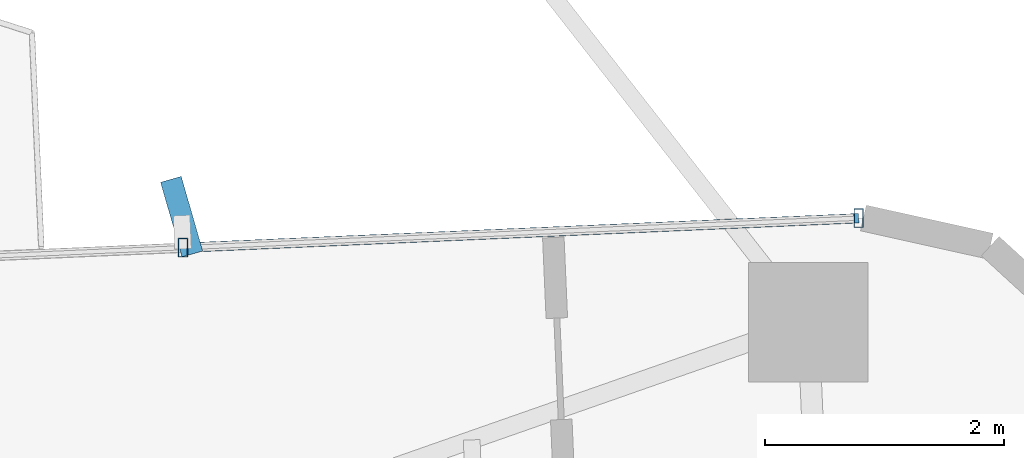
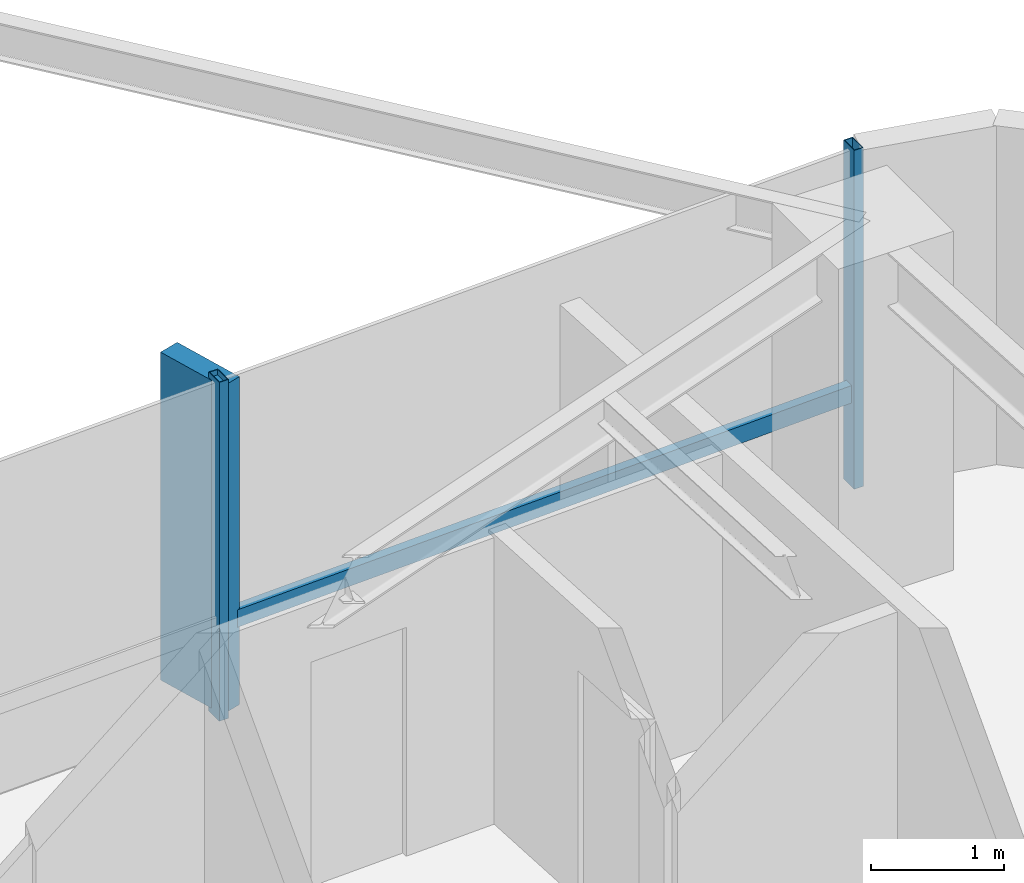
# One storey, part 20 of 26: 4 members, 1 element without a shape of its own.
"""IFC4 building model written with IfcOpenShell, lengths in metres."""

from ifc_helpers import new_model, si_unit, direction, frame, origin, origin_2d, place, context, subcontext, project, spatial, rectangle, hollow_rectangle, extrude, source, transform, mapped, material, material_profile, profile_set, type_object, element, aggregate, save


model = new_model("IFC4")

# Units and contexts
model_context = context("Model", 3, precision=1e-05, world=origin(), true_north=direction((0.0, 1.0)))
body_context = subcontext(model_context, "Body", "Model", "MODEL_VIEW")
ifc_project = project(units=[si_unit("LENGTHUNIT", "METRE"), si_unit("AREAUNIT", "SQUARE_METRE"), si_unit("VOLUMEUNIT", "CUBIC_METRE"), si_unit("PLANEANGLEUNIT", "RADIAN"), si_unit("MASSUNIT", "GRAM", prefix="KILO")], contexts=[model_context])

# Site, building, storey
site_placement = place(None, origin())
site = spatial("IfcSite", under=ifc_project, at=site_placement, CompositionType="ELEMENT")
building_placement = place(site_placement, origin())
building = spatial("IfcBuilding", under=site, at=building_placement, Name="Sahyath Konkavel Grand Hotel", CompositionType="ELEMENT")
storey_placement = place(building_placement, frame((0.0, 0.0, 93.550048828125)))
storey = spatial("IfcBuildingStorey", under=building, at=storey_placement, Name="L25", CompositionType="ELEMENT", Elevation=93.550048828125)

# Curtain wall, members
ifc_material_1 = material(Name="Anodised Bronze Aluminium & Low-E Glazing", Category="aluminium")
curtain_wall_type = type_object("IfcCurtainWallType", Name="CW-ZONE2", PredefinedType="NOTDEFINED", material=ifc_material_1)
curtain_wall_placement = place(storey_placement, origin())
curtain_wall = element("IfcCurtainWall", 1, at=curtain_wall_placement, inside=storey, type_object=curtain_wall_type, Name="L25 Unitised Curtain Wall F7", PredefinedType="NOTDEFINED")
ifc_material_2 = material(Name="Anodised Bronze Aluminium", Category="aluminium")
ifc_material_profile_1 = material_profile(ifc_material_2, hollow_rectangle(XDim=0.080078125, YDim=0.159912109375, WallThickness=0.006103515625, at=origin_2d()), Name="RHS 160x80x6")
ifc_profile_set_1 = profile_set([ifc_material_profile_1], Name="Anodised Bronze Aluminium")
member_type_1 = type_object("IfcMemberType", Name="CW-MUL-160", PredefinedType="MULLION", material=ifc_profile_set_1)
shared_shape_1 = source(origin(), body_context, "Body", "SweptSolid", [
    extrude(hollow_rectangle(XDim=0.080078125, YDim=0.159912109375, WallThickness=0.006103515625, at=origin_2d()), origin(), (0.0, 0.0, 1.0), 3.10986328125),
])
member_1_placement = place(storey_placement, frame((17.655029296875, 7.377197265625, 0.0), z_axis=(0.0, 0.0, 1.0), x_axis=(1.0, 0.0, 0.0)))
member_1 = element("IfcMember", 2, at=member_1_placement, type_object=member_type_1, Name="L25 Curtain Wall Mullion F7-0", PredefinedType="MULLION", context=body_context, shape_type="MappedRepresentation", body=[
    mapped(shared_shape_1, transform((0.0, 0.0, 0.0), scale=1.0)),
])
member_2_placement = place(storey_placement, frame((12.00048828125, 7.13037109375, 0.0), z_axis=(0.0, 0.0, 1.0), x_axis=(1.0, 0.0, 0.0)))
member_2 = element("IfcMember", 3, at=member_2_placement, type_object=member_type_1, Name="L25 Curtain Wall Mullion F7-1", PredefinedType="MULLION", context=body_context, shape_type="MappedRepresentation", body=[
    mapped(shared_shape_1, transform((0.0, 0.0, 0.0), scale=1.0)),
])
ifc_material_3 = material(Name="Warm Buff Sandstone Cladding on Concrete C50/60", Category="masonry")
ifc_material_profile_2 = material_profile(ifc_material_3, rectangle(XDim=0.179931640625, YDim=0.64990234375, at=origin_2d()), Name="FIN 180x650")
ifc_profile_set_2 = profile_set([ifc_material_profile_2], Name="Warm Buff Sandstone Cladding on Concrete C50/60")
member_type_2 = type_object("IfcMemberType", Name="FIN-SANDSTONE-650", PredefinedType="MULLION", material=ifc_profile_set_2)
shared_shape_2 = source(origin(), body_context, "Body", "SweptSolid", [
    extrude(rectangle(XDim=0.179931640625, YDim=0.64990234375, at=origin_2d()), origin(), (0.0, 0.0, 1.0), 3.010009765625),
])
member_3_placement = place(storey_placement, frame((11.989013671875, 7.39013671875, 0.050048828125), z_axis=(0.0, 0.0, 1.0), x_axis=(0.961069030524, 0.276308375854, 0.0)))
member_3 = element("IfcMember", 4, at=member_3_placement, type_object=member_type_2, Name="L25 Sandstone Vertical Solar Fin FIN F7-1", PredefinedType="MULLION", context=body_context, shape_type="MappedRepresentation", body=[
    mapped(shared_shape_2, transform((0.0, 0.0, 0.0), scale=1.0)),
])
ifc_material_profile_3 = material_profile(ifc_material_2, hollow_rectangle(XDim=0.080078125, YDim=0.159912109375, WallThickness=0.006103515625, at=origin_2d()), Name="RHS 160x80x6")
ifc_profile_set_3 = profile_set([ifc_material_profile_3], Name="Anodised Bronze Aluminium")
member_type_3 = type_object("IfcMemberType", Name="CW-TRN-160", PredefinedType="USERDEFINED", material=ifc_profile_set_3)
shared_shape_3 = source(origin(), body_context, "Body", "SweptSolid", [
    extrude(hollow_rectangle(XDim=0.080078125, YDim=0.159912109375, WallThickness=0.006103515625, at=origin_2d()), origin(), (0.0, 0.0, 1.0), 5.659912109375),
])
member_4_placement = place(storey_placement, frame((17.655029296875, 7.377197265625, 0.849853515625), z_axis=(-0.999048655935, -0.043609437898, 0.0), x_axis=(0.043609437898, -0.999048655935, 0.0)))
member_4 = element("IfcMember", 5, at=member_4_placement, type_object=member_type_3, Name="L25 Curtain Wall Transom F7-0-spandrel", ObjectType="TRANSOM", PredefinedType="USERDEFINED", context=body_context, shape_type="MappedRepresentation", body=[
    mapped(shared_shape_3, transform((0.0, 0.0, 0.0), scale=1.0)),
])
aggregate(curtain_wall, [member_1, member_2, member_3, member_4])

save(model, "model.ifc")
